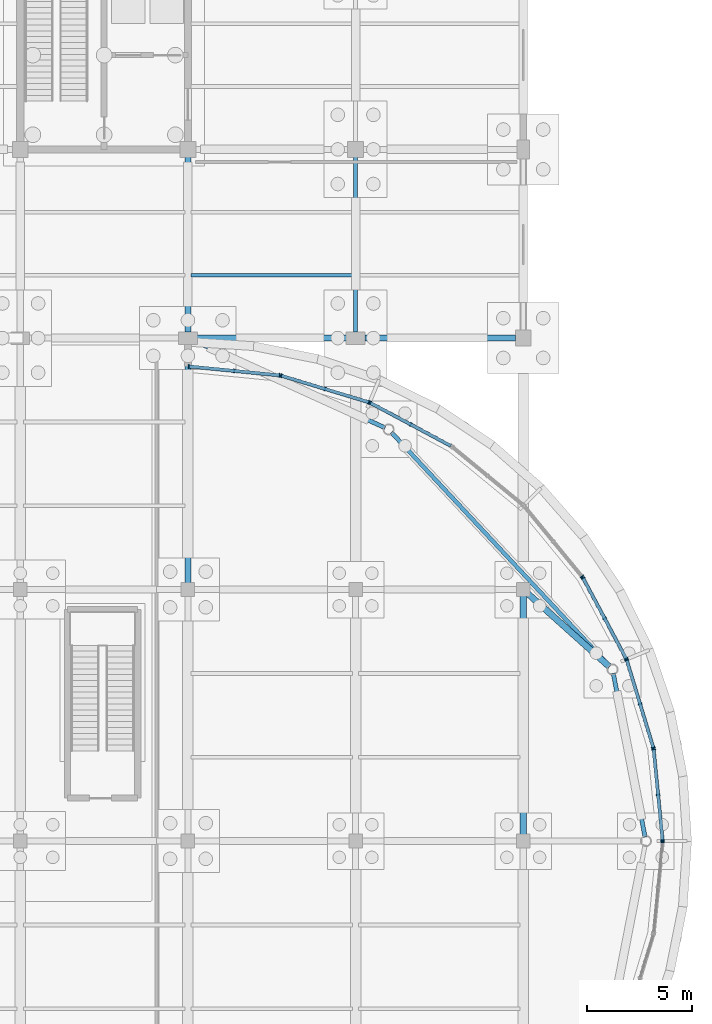
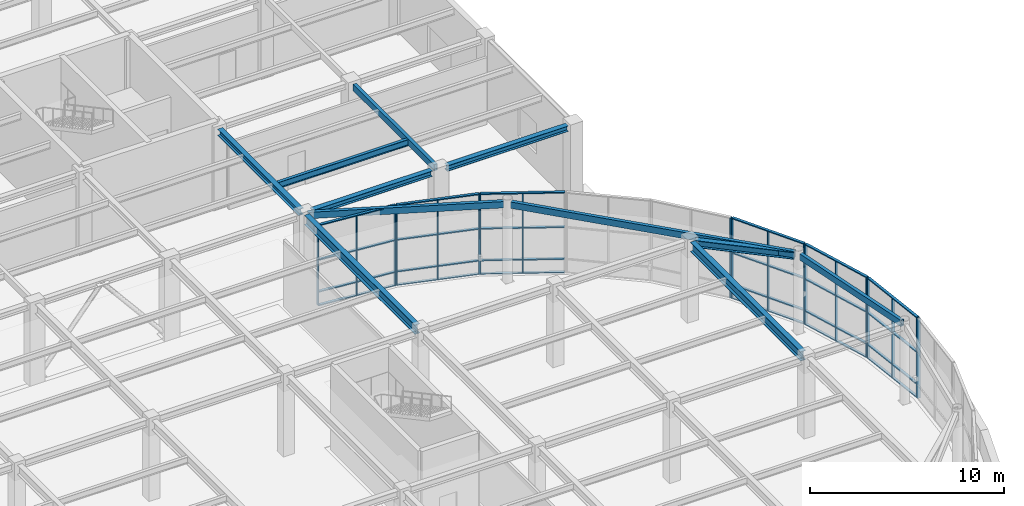
# One storey, part 47 of 85: 43 members, 11 beams, 8 elements without a shape of their own.
"""IFC4 building model written with IfcOpenShell, lengths in metres."""

from ifc_helpers import new_model, si_unit, direction, frame, origin, origin_2d, place, context, subcontext, project, spatial, rectangle, hollow_rectangle, i_section, extrude, material, layer, layer_set, material_profile, profile_set, type_object, element, aggregate, save


model = new_model("IFC4")

# Units and contexts
model_context = context("Model", 3, precision=1e-05, world=origin(), true_north=direction((0.0, 1.0)))
body_context = subcontext(model_context, "Body", "Model", "MODEL_VIEW")
ifc_project = project(units=[si_unit("LENGTHUNIT", "METRE"), si_unit("AREAUNIT", "SQUARE_METRE"), si_unit("VOLUMEUNIT", "CUBIC_METRE"), si_unit("PLANEANGLEUNIT", "RADIAN"), si_unit("MASSUNIT", "GRAM", prefix="KILO")], contexts=[model_context])

# Site, building, storey
site_placement = place(None, origin())
site = spatial("IfcSite", under=ifc_project, at=site_placement, CompositionType="ELEMENT")
building_placement = place(site_placement, origin())
building = spatial("IfcBuilding", under=site, at=building_placement, Name="Keelwater Ferry Terminal", CompositionType="ELEMENT")
storey_placement = place(building_placement, origin())
storey = spatial("IfcBuildingStorey", under=building, at=storey_placement, Name="L00", CompositionType="ELEMENT", Elevation=0.0)

# Curtain wall, member
ifc_material_1 = material(Name="Thermally broken unitised aluminium and triple glass", Category="aluminium")
ifc_layer = layer(ifc_material_1, 0.179931640625)
ifc_layer_set = layer_set([ifc_layer], Name="Thermally broken unitised aluminium and triple glass")
curtain_wall_type = type_object("IfcCurtainWallType", Name="CW-17 Unitised Curtain Wall 4350x5020", PredefinedType="USERDEFINED", material=ifc_layer_set)
curtain_wall_1_placement = place(storey_placement, origin())
curtain_wall_1 = element("IfcCurtainWall", 1, at=curtain_wall_1_placement, inside=storey, type_object=curtain_wall_type, Name="Unitised Curtain Wall CW-L00-100", ObjectType="UNITISED CURTAIN WALL", PredefinedType="USERDEFINED")
ifc_material_2 = material(Name="Aluminium mullion", Category="aluminium")
ifc_material_profile_1 = material_profile(ifc_material_2, rectangle(XDim=0.06494140625, YDim=0.179931640625, at=origin_2d()), Name="CWM-01")
ifc_profile_set_1 = profile_set([ifc_material_profile_1], Name="Aluminium mullion")
member_type_1 = type_object("IfcMemberType", Name="CWM-01 Curtain Mullion 65x180", PredefinedType="MULLION", material=ifc_profile_set_1)
member_1_placement = place(storey_placement, frame((186.64599609375, 65.955078125, 0.0), z_axis=(0.0, 0.0, 1.0), x_axis=(0.098160737969, 0.995170573079, 0.0)))
member_1 = element("IfcMember", 2, at=member_1_placement, type_object=member_type_1, Name="CW-L00-100 Mullion 3", PredefinedType="MULLION", context=body_context, shape_type="SweptSolid", body=[
    extrude(rectangle(XDim=0.06494140625, YDim=0.179931640625, at=origin_2d()), origin(), (0.0, 0.0, 1.0), 5.02001953125),
])
aggregate(curtain_wall_1, [member_1])

# Curtain wall, members
curtain_wall_2_placement = place(storey_placement, origin())
curtain_wall_2 = element("IfcCurtainWall", 3, at=curtain_wall_2_placement, inside=storey, type_object=curtain_wall_type, Name="Unitised Curtain Wall CW-L00-101", ObjectType="UNITISED CURTAIN WALL", PredefinedType="USERDEFINED")
member_2_placement = place(storey_placement, frame((186.64599609375, 66.044921875, 0.0), z_axis=(0.0, 0.0, 1.0), x_axis=(-0.098160737969, 0.995170573079, 0.0)))
member_2 = element("IfcMember", 4, at=member_2_placement, type_object=member_type_1, Name="CW-L00-101 Mullion 1", PredefinedType="MULLION", context=body_context, shape_type="SweptSolid", body=[
    extrude(rectangle(XDim=0.06494140625, YDim=0.179931640625, at=origin_2d()), origin(), (0.0, 0.0, 1.0), 5.02001953125),
])
member_3_placement = place(storey_placement, frame((186.4326171875, 68.20947265625, 0.0), z_axis=(0.0, 0.0, 1.0), x_axis=(-0.098160737969, 0.995170573079, 0.0)))
member_3 = element("IfcMember", 5, at=member_3_placement, type_object=member_type_1, Name="CW-L00-101 Mullion 2", PredefinedType="MULLION", context=body_context, shape_type="SweptSolid", body=[
    extrude(rectangle(XDim=0.06494140625, YDim=0.179931640625, at=origin_2d()), origin(), (0.0, 0.0, 1.0), 5.02001953125),
])
member_4_placement = place(storey_placement, frame((186.218994140625, 70.3740234375, 0.0), z_axis=(0.0, 0.0, 1.0), x_axis=(-0.098160737969, 0.995170573079, 0.0)))
member_4 = element("IfcMember", 6, at=member_4_placement, type_object=member_type_1, Name="CW-L00-101 Mullion 3", PredefinedType="MULLION", context=body_context, shape_type="SweptSolid", body=[
    extrude(rectangle(XDim=0.06494140625, YDim=0.179931640625, at=origin_2d()), origin(), (0.0, 0.0, 1.0), 5.02001953125),
])

curtain_wall_3_placement = place(storey_placement, origin())
curtain_wall_3 = element("IfcCurtainWall", 7, at=curtain_wall_3_placement, inside=storey, type_object=curtain_wall_type, Name="Unitised Curtain Wall CW-L00-102", ObjectType="UNITISED CURTAIN WALL", PredefinedType="USERDEFINED")
member_5_placement = place(storey_placement, frame((186.201904296875, 70.4619140625, 0.0), z_axis=(0.0, 0.0, 1.0), x_axis=(-0.290319989003, 0.956929623319, 0.0)))
member_5 = element("IfcMember", 8, at=member_5_placement, type_object=member_type_1, Name="CW-L00-102 Mullion 1", PredefinedType="MULLION", context=body_context, shape_type="SweptSolid", body=[
    extrude(rectangle(XDim=0.06494140625, YDim=0.179931640625, at=origin_2d()), origin(), (0.0, 0.0, 1.0), 5.02001953125),
])
member_6_placement = place(storey_placement, frame((185.570556640625, 72.54345703125, 0.0), z_axis=(0.0, 0.0, 1.0), x_axis=(-0.290319989003, 0.956929623319, 0.0)))
member_6 = element("IfcMember", 9, at=member_6_placement, type_object=member_type_1, Name="CW-L00-102 Mullion 2", PredefinedType="MULLION", context=body_context, shape_type="SweptSolid", body=[
    extrude(rectangle(XDim=0.06494140625, YDim=0.179931640625, at=origin_2d()), origin(), (0.0, 0.0, 1.0), 5.02001953125),
])
member_7_placement = place(storey_placement, frame((184.93896484375, 74.625, 0.0), z_axis=(0.0, 0.0, 1.0), x_axis=(-0.290319989003, 0.956929623319, 0.0)))
member_7 = element("IfcMember", 10, at=member_7_placement, type_object=member_type_1, Name="CW-L00-102 Mullion 3", PredefinedType="MULLION", context=body_context, shape_type="SweptSolid", body=[
    extrude(rectangle(XDim=0.06494140625, YDim=0.179931640625, at=origin_2d()), origin(), (0.0, 0.0, 1.0), 5.02001953125),
])

curtain_wall_4_placement = place(storey_placement, origin())
curtain_wall_4 = element("IfcCurtainWall", 11, at=curtain_wall_4_placement, inside=storey, type_object=curtain_wall_type, Name="Unitised Curtain Wall CW-L00-103", ObjectType="UNITISED CURTAIN WALL", PredefinedType="USERDEFINED")
member_8_placement = place(storey_placement, frame((184.905029296875, 74.7080078125, 0.0), z_axis=(0.0, 0.0, 1.0), x_axis=(-0.471506749303, 0.881862452632, 0.0)))
member_8 = element("IfcMember", 12, at=member_8_placement, type_object=member_type_1, Name="CW-L00-103 Mullion 1", PredefinedType="MULLION", context=body_context, shape_type="SweptSolid", body=[
    extrude(rectangle(XDim=0.06494140625, YDim=0.179931640625, at=origin_2d()), origin(), (0.0, 0.0, 1.0), 5.02001953125),
])
member_9_placement = place(storey_placement, frame((183.87939453125, 76.6259765625, 0.0), z_axis=(0.0, 0.0, 1.0), x_axis=(-0.471506749303, 0.881862452632, 0.0)))
member_9 = element("IfcMember", 13, at=member_9_placement, type_object=member_type_1, Name="CW-L00-103 Mullion 2", PredefinedType="MULLION", context=body_context, shape_type="SweptSolid", body=[
    extrude(rectangle(XDim=0.06494140625, YDim=0.179931640625, at=origin_2d()), origin(), (0.0, 0.0, 1.0), 5.02001953125),
])
member_10_placement = place(storey_placement, frame((182.85400390625, 78.5439453125, 0.0), z_axis=(0.0, 0.0, 1.0), x_axis=(-0.471506749303, 0.881862452632, 0.0)))
member_10 = element("IfcMember", 14, at=member_10_placement, type_object=member_type_1, Name="CW-L00-103 Mullion 3", PredefinedType="MULLION", context=body_context, shape_type="SweptSolid", body=[
    extrude(rectangle(XDim=0.06494140625, YDim=0.179931640625, at=origin_2d()), origin(), (0.0, 0.0, 1.0), 5.02001953125),
])

# Curtain wall, member
curtain_wall_5_placement = place(storey_placement, origin())
curtain_wall_5 = element("IfcCurtainWall", 15, at=curtain_wall_5_placement, inside=storey, type_object=curtain_wall_type, Name="Unitised Curtain Wall CW-L00-104", ObjectType="UNITISED CURTAIN WALL", PredefinedType="USERDEFINED")
member_11_placement = place(storey_placement, frame((182.803955078125, 78.618896484375, 0.0), z_axis=(0.0, 0.0, 1.0), x_axis=(-0.634376508991, 0.773024220086, 0.0)))
member_11 = element("IfcMember", 16, at=member_11_placement, type_object=member_type_1, Name="CW-L00-104 Mullion 1", PredefinedType="MULLION", context=body_context, shape_type="SweptSolid", body=[
    extrude(rectangle(XDim=0.06494140625, YDim=0.179931640625, at=origin_2d()), origin(), (0.0, 0.0, 1.0), 5.02001953125),
])
aggregate(curtain_wall_5, [member_11])

# Curtain wall, members
curtain_wall_6_placement = place(storey_placement, origin())
curtain_wall_6 = element("IfcCurtainWall", 17, at=curtain_wall_6_placement, inside=storey, type_object=curtain_wall_type, Name="Unitised Curtain Wall CW-L00-106", ObjectType="UNITISED CURTAIN WALL", PredefinedType="USERDEFINED")
member_12_placement = place(storey_placement, frame((174.6259765625, 85.87939453125, 0.0), z_axis=(0.0, 0.0, 1.0), x_axis=(-0.881862452632, 0.471506749303, 0.0)))
member_12 = element("IfcMember", 18, at=member_12_placement, type_object=member_type_1, Name="CW-L00-106 Mullion 2", PredefinedType="MULLION", context=body_context, shape_type="SweptSolid", body=[
    extrude(rectangle(XDim=0.06494140625, YDim=0.179931640625, at=origin_2d()), origin(), (0.0, 0.0, 1.0), 5.02001953125),
])
member_13_placement = place(storey_placement, frame((172.7080078125, 86.905029296875, 0.0), z_axis=(0.0, 0.0, 1.0), x_axis=(-0.881862452632, 0.471506749303, 0.0)))
member_13 = element("IfcMember", 19, at=member_13_placement, type_object=member_type_1, Name="CW-L00-106 Mullion 3", PredefinedType="MULLION", context=body_context, shape_type="SweptSolid", body=[
    extrude(rectangle(XDim=0.06494140625, YDim=0.179931640625, at=origin_2d()), origin(), (0.0, 0.0, 1.0), 5.02001953125),
])

curtain_wall_7_placement = place(storey_placement, origin())
curtain_wall_7 = element("IfcCurtainWall", 20, at=curtain_wall_7_placement, inside=storey, type_object=curtain_wall_type, Name="Unitised Curtain Wall CW-L00-107", ObjectType="UNITISED CURTAIN WALL", PredefinedType="USERDEFINED")
member_14_placement = place(storey_placement, frame((172.625, 86.93896484375, 0.0), z_axis=(0.0, 0.0, 1.0), x_axis=(-0.956929623319, 0.290319989003, 0.0)))
member_14 = element("IfcMember", 21, at=member_14_placement, type_object=member_type_1, Name="CW-L00-107 Mullion 1", PredefinedType="MULLION", context=body_context, shape_type="SweptSolid", body=[
    extrude(rectangle(XDim=0.06494140625, YDim=0.179931640625, at=origin_2d()), origin(), (0.0, 0.0, 1.0), 5.02001953125),
])
member_15_placement = place(storey_placement, frame((170.54345703125, 87.570556640625, 0.0), z_axis=(0.0, 0.0, 1.0), x_axis=(-0.956929623319, 0.290319989003, 0.0)))
member_15 = element("IfcMember", 22, at=member_15_placement, type_object=member_type_1, Name="CW-L00-107 Mullion 2", PredefinedType="MULLION", context=body_context, shape_type="SweptSolid", body=[
    extrude(rectangle(XDim=0.06494140625, YDim=0.179931640625, at=origin_2d()), origin(), (0.0, 0.0, 1.0), 5.02001953125),
])
member_16_placement = place(storey_placement, frame((168.4619140625, 88.201904296875, 0.0), z_axis=(0.0, 0.0, 1.0), x_axis=(-0.956929623319, 0.290319989003, 0.0)))
member_16 = element("IfcMember", 23, at=member_16_placement, type_object=member_type_1, Name="CW-L00-107 Mullion 3", PredefinedType="MULLION", context=body_context, shape_type="SweptSolid", body=[
    extrude(rectangle(XDim=0.06494140625, YDim=0.179931640625, at=origin_2d()), origin(), (0.0, 0.0, 1.0), 5.02001953125),
])

curtain_wall_8_placement = place(storey_placement, origin())
curtain_wall_8 = element("IfcCurtainWall", 24, at=curtain_wall_8_placement, inside=storey, type_object=curtain_wall_type, Name="Unitised Curtain Wall CW-L00-108", ObjectType="UNITISED CURTAIN WALL", PredefinedType="USERDEFINED")
member_17_placement = place(storey_placement, frame((168.3740234375, 88.218994140625, 0.0), z_axis=(0.0, 0.0, 1.0), x_axis=(-0.995170573079, 0.098160737969, 0.0)))
member_17 = element("IfcMember", 25, at=member_17_placement, type_object=member_type_1, Name="CW-L00-108 Mullion 1", PredefinedType="MULLION", context=body_context, shape_type="SweptSolid", body=[
    extrude(rectangle(XDim=0.06494140625, YDim=0.179931640625, at=origin_2d()), origin(), (0.0, 0.0, 1.0), 5.02001953125),
])
member_18_placement = place(storey_placement, frame((166.20947265625, 88.4326171875, 0.0), z_axis=(0.0, 0.0, 1.0), x_axis=(-0.995170573079, 0.098160737969, 0.0)))
member_18 = element("IfcMember", 26, at=member_18_placement, type_object=member_type_1, Name="CW-L00-108 Mullion 2", PredefinedType="MULLION", context=body_context, shape_type="SweptSolid", body=[
    extrude(rectangle(XDim=0.06494140625, YDim=0.179931640625, at=origin_2d()), origin(), (0.0, 0.0, 1.0), 5.02001953125),
])
member_19_placement = place(storey_placement, frame((164.044921875, 88.64599609375, 0.0), z_axis=(0.0, 0.0, 1.0), x_axis=(-0.995170573079, 0.098160737969, 0.0)))
member_19 = element("IfcMember", 27, at=member_19_placement, type_object=member_type_1, Name="CW-L00-108 Mullion 3", PredefinedType="MULLION", context=body_context, shape_type="SweptSolid", body=[
    extrude(rectangle(XDim=0.06494140625, YDim=0.179931640625, at=origin_2d()), origin(), (0.0, 0.0, 1.0), 5.02001953125),
])

# Member
ifc_material_3 = material(Name="Aluminium mullion", Category="aluminium")
ifc_material_profile_2 = material_profile(ifc_material_3, rectangle(XDim=0.159912109375, YDim=0.06494140625, at=origin_2d()), Name="CWT-01")
ifc_profile_set_2 = profile_set([ifc_material_profile_2], Name="Aluminium mullion")
member_type_2 = type_object("IfcMemberType", Name="CWT-01 Curtain Transom 65x160", PredefinedType="USERDEFINED", material=ifc_profile_set_2)
member_20_placement = place(storey_placement, frame((186.64599609375, 66.044921875, 0.0), z_axis=(-0.098158901932, 0.995170754178, 0.0), x_axis=(-0.995170754178, -0.098158901932, 0.0)))
member_20 = element("IfcMember", 28, at=member_20_placement, type_object=member_type_2, Name="CW-L00-101 Transom 1", ObjectType="TRANSOM", PredefinedType="USERDEFINED", context=body_context, shape_type="SweptSolid", body=[
    extrude(rectangle(XDim=0.159912109375, YDim=0.06494140625, at=origin_2d()), origin(), (0.0, 0.0, 1.0), 4.35009765625),
])

member_21_placement = place(storey_placement, frame((186.64599609375, 66.044921875, 0.85009765625), z_axis=(-0.098158901932, 0.995170754178, 0.0), x_axis=(-0.995170754178, -0.098158901932, 0.0)))
member_21 = element("IfcMember", 29, at=member_21_placement, type_object=member_type_2, Name="CW-L00-101 Transom 2", ObjectType="TRANSOM", PredefinedType="USERDEFINED", context=body_context, shape_type="SweptSolid", body=[
    extrude(rectangle(XDim=0.159912109375, YDim=0.06494140625, at=origin_2d()), origin(), (0.0, 0.0, 1.0), 4.35009765625),
])

member_22_placement = place(storey_placement, frame((186.64599609375, 66.044921875, 2.85009765625), z_axis=(-0.098158901932, 0.995170754178, 0.0), x_axis=(-0.995170754178, -0.098158901932, 0.0)))
member_22 = element("IfcMember", 30, at=member_22_placement, type_object=member_type_2, Name="CW-L00-101 Transom 3", ObjectType="TRANSOM", PredefinedType="USERDEFINED", context=body_context, shape_type="SweptSolid", body=[
    extrude(rectangle(XDim=0.159912109375, YDim=0.06494140625, at=origin_2d()), origin(), (0.0, 0.0, 1.0), 4.35009765625),
])

member_23_placement = place(storey_placement, frame((186.64599609375, 66.044921875, 5.02001953125), z_axis=(-0.098158901932, 0.995170754178, 0.0), x_axis=(-0.995170754178, -0.098158901932, 0.0)))
member_23 = element("IfcMember", 31, at=member_23_placement, type_object=member_type_2, Name="CW-L00-101 Transom 4", ObjectType="TRANSOM", PredefinedType="USERDEFINED", context=body_context, shape_type="SweptSolid", body=[
    extrude(rectangle(XDim=0.159912109375, YDim=0.06494140625, at=origin_2d()), origin(), (0.0, 0.0, 1.0), 4.35009765625),
])

aggregate(curtain_wall_2, [member_2, member_3, member_4, member_20, member_21, member_22, member_23])

member_24_placement = place(storey_placement, frame((186.201904296875, 70.4619140625, 0.0), z_axis=(-0.290301756665, 0.956935154583, 0.0), x_axis=(-0.956935154583, -0.290301756665, 0.0)))
member_24 = element("IfcMember", 32, at=member_24_placement, type_object=member_type_2, Name="CW-L00-102 Transom 1", ObjectType="TRANSOM", PredefinedType="USERDEFINED", context=body_context, shape_type="SweptSolid", body=[
    extrude(rectangle(XDim=0.159912109375, YDim=0.06494140625, at=origin_2d()), origin(), (0.0, 0.0, 1.0), 4.350341796875),
])

member_25_placement = place(storey_placement, frame((186.201904296875, 70.4619140625, 0.85009765625), z_axis=(-0.290301756665, 0.956935154583, 0.0), x_axis=(-0.956935154583, -0.290301756665, 0.0)))
member_25 = element("IfcMember", 33, at=member_25_placement, type_object=member_type_2, Name="CW-L00-102 Transom 2", ObjectType="TRANSOM", PredefinedType="USERDEFINED", context=body_context, shape_type="SweptSolid", body=[
    extrude(rectangle(XDim=0.159912109375, YDim=0.06494140625, at=origin_2d()), origin(), (0.0, 0.0, 1.0), 4.350341796875),
])

member_26_placement = place(storey_placement, frame((186.201904296875, 70.4619140625, 2.85009765625), z_axis=(-0.290301756665, 0.956935154583, 0.0), x_axis=(-0.956935154583, -0.290301756665, 0.0)))
member_26 = element("IfcMember", 34, at=member_26_placement, type_object=member_type_2, Name="CW-L00-102 Transom 3", ObjectType="TRANSOM", PredefinedType="USERDEFINED", context=body_context, shape_type="SweptSolid", body=[
    extrude(rectangle(XDim=0.159912109375, YDim=0.06494140625, at=origin_2d()), origin(), (0.0, 0.0, 1.0), 4.350341796875),
])

member_27_placement = place(storey_placement, frame((186.201904296875, 70.4619140625, 5.02001953125), z_axis=(-0.290301756665, 0.956935154583, 0.0), x_axis=(-0.956935154583, -0.290301756665, 0.0)))
member_27 = element("IfcMember", 35, at=member_27_placement, type_object=member_type_2, Name="CW-L00-102 Transom 4", ObjectType="TRANSOM", PredefinedType="USERDEFINED", context=body_context, shape_type="SweptSolid", body=[
    extrude(rectangle(XDim=0.159912109375, YDim=0.06494140625, at=origin_2d()), origin(), (0.0, 0.0, 1.0), 4.350341796875),
])

aggregate(curtain_wall_3, [member_5, member_6, member_7, member_24, member_25, member_26, member_27])

member_28_placement = place(storey_placement, frame((184.905029296875, 74.7080078125, 0.0), z_axis=(-0.471517263122, 0.881856831112, 0.0), x_axis=(-0.881856831112, -0.471517263122, 0.0)))
member_28 = element("IfcMember", 36, at=member_28_placement, type_object=member_type_2, Name="CW-L00-103 Transom 1", ObjectType="TRANSOM", PredefinedType="USERDEFINED", context=body_context, shape_type="SweptSolid", body=[
    extrude(rectangle(XDim=0.159912109375, YDim=0.06494140625, at=origin_2d()), origin(), (0.0, 0.0, 1.0), 4.349853515625),
])

member_29_placement = place(storey_placement, frame((184.905029296875, 74.7080078125, 0.85009765625), z_axis=(-0.471517263122, 0.881856831112, 0.0), x_axis=(-0.881856831112, -0.471517263122, 0.0)))
member_29 = element("IfcMember", 37, at=member_29_placement, type_object=member_type_2, Name="CW-L00-103 Transom 2", ObjectType="TRANSOM", PredefinedType="USERDEFINED", context=body_context, shape_type="SweptSolid", body=[
    extrude(rectangle(XDim=0.159912109375, YDim=0.06494140625, at=origin_2d()), origin(), (0.0, 0.0, 1.0), 4.349853515625),
])

member_30_placement = place(storey_placement, frame((184.905029296875, 74.7080078125, 2.85009765625), z_axis=(-0.471517263122, 0.881856831112, 0.0), x_axis=(-0.881856831112, -0.471517263122, 0.0)))
member_30 = element("IfcMember", 38, at=member_30_placement, type_object=member_type_2, Name="CW-L00-103 Transom 3", ObjectType="TRANSOM", PredefinedType="USERDEFINED", context=body_context, shape_type="SweptSolid", body=[
    extrude(rectangle(XDim=0.159912109375, YDim=0.06494140625, at=origin_2d()), origin(), (0.0, 0.0, 1.0), 4.349853515625),
])

member_31_placement = place(storey_placement, frame((184.905029296875, 74.7080078125, 5.02001953125), z_axis=(-0.471517263122, 0.881856831112, 0.0), x_axis=(-0.881856831112, -0.471517263122, 0.0)))
member_31 = element("IfcMember", 39, at=member_31_placement, type_object=member_type_2, Name="CW-L00-103 Transom 4", ObjectType="TRANSOM", PredefinedType="USERDEFINED", context=body_context, shape_type="SweptSolid", body=[
    extrude(rectangle(XDim=0.159912109375, YDim=0.06494140625, at=origin_2d()), origin(), (0.0, 0.0, 1.0), 4.349853515625),
])

aggregate(curtain_wall_4, [member_8, member_9, member_10, member_28, member_29, member_30, member_31])

member_32_placement = place(storey_placement, frame((176.5439453125, 84.85400390625, 0.0), z_axis=(-0.881856831112, 0.471517263122, 0.0), x_axis=(-0.471517263122, -0.881856831112, 0.0)))
member_32 = element("IfcMember", 40, at=member_32_placement, type_object=member_type_2, Name="CW-L00-106 Transom 1", ObjectType="TRANSOM", PredefinedType="USERDEFINED", context=body_context, shape_type="SweptSolid", body=[
    extrude(rectangle(XDim=0.159912109375, YDim=0.06494140625, at=origin_2d()), origin(), (0.0, 0.0, 1.0), 4.349853515625),
])

member_33_placement = place(storey_placement, frame((176.5439453125, 84.85400390625, 0.85009765625), z_axis=(-0.881856831112, 0.471517263122, 0.0), x_axis=(-0.471517263122, -0.881856831112, 0.0)))
member_33 = element("IfcMember", 41, at=member_33_placement, type_object=member_type_2, Name="CW-L00-106 Transom 2", ObjectType="TRANSOM", PredefinedType="USERDEFINED", context=body_context, shape_type="SweptSolid", body=[
    extrude(rectangle(XDim=0.159912109375, YDim=0.06494140625, at=origin_2d()), origin(), (0.0, 0.0, 1.0), 4.349853515625),
])

member_34_placement = place(storey_placement, frame((176.5439453125, 84.85400390625, 2.85009765625), z_axis=(-0.881856831112, 0.471517263122, 0.0), x_axis=(-0.471517263122, -0.881856831112, 0.0)))
member_34 = element("IfcMember", 42, at=member_34_placement, type_object=member_type_2, Name="CW-L00-106 Transom 3", ObjectType="TRANSOM", PredefinedType="USERDEFINED", context=body_context, shape_type="SweptSolid", body=[
    extrude(rectangle(XDim=0.159912109375, YDim=0.06494140625, at=origin_2d()), origin(), (0.0, 0.0, 1.0), 4.349853515625),
])

member_35_placement = place(storey_placement, frame((176.5439453125, 84.85400390625, 5.02001953125), z_axis=(-0.881856831112, 0.471517263122, 0.0), x_axis=(-0.471517263122, -0.881856831112, 0.0)))
member_35 = element("IfcMember", 43, at=member_35_placement, type_object=member_type_2, Name="CW-L00-106 Transom 4", ObjectType="TRANSOM", PredefinedType="USERDEFINED", context=body_context, shape_type="SweptSolid", body=[
    extrude(rectangle(XDim=0.159912109375, YDim=0.06494140625, at=origin_2d()), origin(), (0.0, 0.0, 1.0), 4.349853515625),
])

aggregate(curtain_wall_6, [member_12, member_13, member_32, member_33, member_34, member_35])

member_36_placement = place(storey_placement, frame((172.625, 86.93896484375, 0.0), z_axis=(-0.956935154583, 0.290301756665, 0.0), x_axis=(-0.290301756665, -0.956935154583, 0.0)))
member_36 = element("IfcMember", 44, at=member_36_placement, type_object=member_type_2, Name="CW-L00-107 Transom 1", ObjectType="TRANSOM", PredefinedType="USERDEFINED", context=body_context, shape_type="SweptSolid", body=[
    extrude(rectangle(XDim=0.159912109375, YDim=0.06494140625, at=origin_2d()), origin(), (0.0, 0.0, 1.0), 4.350341796875),
])

member_37_placement = place(storey_placement, frame((172.625, 86.93896484375, 0.85009765625), z_axis=(-0.956935154583, 0.290301756665, 0.0), x_axis=(-0.290301756665, -0.956935154583, 0.0)))
member_37 = element("IfcMember", 45, at=member_37_placement, type_object=member_type_2, Name="CW-L00-107 Transom 2", ObjectType="TRANSOM", PredefinedType="USERDEFINED", context=body_context, shape_type="SweptSolid", body=[
    extrude(rectangle(XDim=0.159912109375, YDim=0.06494140625, at=origin_2d()), origin(), (0.0, 0.0, 1.0), 4.350341796875),
])

member_38_placement = place(storey_placement, frame((172.625, 86.93896484375, 2.85009765625), z_axis=(-0.956935154583, 0.290301756665, 0.0), x_axis=(-0.290301756665, -0.956935154583, 0.0)))
member_38 = element("IfcMember", 46, at=member_38_placement, type_object=member_type_2, Name="CW-L00-107 Transom 3", ObjectType="TRANSOM", PredefinedType="USERDEFINED", context=body_context, shape_type="SweptSolid", body=[
    extrude(rectangle(XDim=0.159912109375, YDim=0.06494140625, at=origin_2d()), origin(), (0.0, 0.0, 1.0), 4.350341796875),
])

member_39_placement = place(storey_placement, frame((172.625, 86.93896484375, 5.02001953125), z_axis=(-0.956935154583, 0.290301756665, 0.0), x_axis=(-0.290301756665, -0.956935154583, 0.0)))
member_39 = element("IfcMember", 47, at=member_39_placement, type_object=member_type_2, Name="CW-L00-107 Transom 4", ObjectType="TRANSOM", PredefinedType="USERDEFINED", context=body_context, shape_type="SweptSolid", body=[
    extrude(rectangle(XDim=0.159912109375, YDim=0.06494140625, at=origin_2d()), origin(), (0.0, 0.0, 1.0), 4.350341796875),
])

aggregate(curtain_wall_7, [member_14, member_15, member_16, member_36, member_37, member_38, member_39])

member_40_placement = place(storey_placement, frame((168.3740234375, 88.218994140625, 0.0), z_axis=(-0.995170754178, 0.098158901932, 0.0), x_axis=(-0.098158901932, -0.995170754178, 0.0)))
member_40 = element("IfcMember", 48, at=member_40_placement, type_object=member_type_2, Name="CW-L00-108 Transom 1", ObjectType="TRANSOM", PredefinedType="USERDEFINED", context=body_context, shape_type="SweptSolid", body=[
    extrude(rectangle(XDim=0.159912109375, YDim=0.06494140625, at=origin_2d()), origin(), (0.0, 0.0, 1.0), 4.35009765625),
])

member_41_placement = place(storey_placement, frame((168.3740234375, 88.218994140625, 0.85009765625), z_axis=(-0.995170754178, 0.098158901932, 0.0), x_axis=(-0.098158901932, -0.995170754178, 0.0)))
member_41 = element("IfcMember", 49, at=member_41_placement, type_object=member_type_2, Name="CW-L00-108 Transom 2", ObjectType="TRANSOM", PredefinedType="USERDEFINED", context=body_context, shape_type="SweptSolid", body=[
    extrude(rectangle(XDim=0.159912109375, YDim=0.06494140625, at=origin_2d()), origin(), (0.0, 0.0, 1.0), 4.35009765625),
])

member_42_placement = place(storey_placement, frame((168.3740234375, 88.218994140625, 2.85009765625), z_axis=(-0.995170754178, 0.098158901932, 0.0), x_axis=(-0.098158901932, -0.995170754178, 0.0)))
member_42 = element("IfcMember", 50, at=member_42_placement, type_object=member_type_2, Name="CW-L00-108 Transom 3", ObjectType="TRANSOM", PredefinedType="USERDEFINED", context=body_context, shape_type="SweptSolid", body=[
    extrude(rectangle(XDim=0.159912109375, YDim=0.06494140625, at=origin_2d()), origin(), (0.0, 0.0, 1.0), 4.35009765625),
])

member_43_placement = place(storey_placement, frame((168.3740234375, 88.218994140625, 5.02001953125), z_axis=(-0.995170754178, 0.098158901932, 0.0), x_axis=(-0.098158901932, -0.995170754178, 0.0)))
member_43 = element("IfcMember", 51, at=member_43_placement, type_object=member_type_2, Name="CW-L00-108 Transom 4", ObjectType="TRANSOM", PredefinedType="USERDEFINED", context=body_context, shape_type="SweptSolid", body=[
    extrude(rectangle(XDim=0.159912109375, YDim=0.06494140625, at=origin_2d()), origin(), (0.0, 0.0, 1.0), 4.35009765625),
])

aggregate(curtain_wall_8, [member_17, member_18, member_19, member_40, member_41, member_42, member_43])

# Beams
ifc_material_4 = material(Name="Steel S355", Category="steel")
ifc_material_profile_3 = material_profile(ifc_material_4, i_section(OverallWidth=0.300048828125, OverallDepth=0.60009765625, WebThickness=0.015380859375, FlangeThickness=0.030029296875, at=origin_2d()), Name="HEB 600")
ifc_profile_set_3 = profile_set([ifc_material_profile_3], Name="Steel S355")
beam_type_1 = type_object("IfcBeamType", Name="G3 HEB 600", PredefinedType="BEAM", material=ifc_profile_set_3)
beam_1_placement = place(storey_placement, frame((164.0, 78.318115234375, 4.760009765625), z_axis=(0.0, 1.0, 0.0), x_axis=(-1.0, 0.0, 0.0)))
element("IfcBeam", 52, at=beam_1_placement, inside=storey, type_object=beam_type_1, Name="Beam BM-L00-0288", PredefinedType="BEAM", context=body_context, shape_type="SweptSolid", body=[
    extrude(i_section(OverallWidth=0.300048828125, OverallDepth=0.60009765625, WebThickness=0.015380859375, FlangeThickness=0.030029296875, at=origin_2d()), origin(), (0.0, 0.0, 1.0), 11.387939453125),
])
ifc_material_5 = material(Name="Steel S355", Category="steel")
ifc_material_profile_4 = material_profile(ifc_material_5, i_section(OverallWidth=0.300048828125, OverallDepth=0.60009765625, WebThickness=0.015380859375, FlangeThickness=0.030029296875, at=origin_2d()), Name="HEB 600")
ifc_profile_set_4 = profile_set([ifc_material_profile_4], Name="Steel S355")
beam_type_2 = type_object("IfcBeamType", Name="G3E HEB 600", PredefinedType="BEAM", material=ifc_profile_set_4)
beam_2_placement = place(storey_placement, frame((180.0, 66.318115234375, 4.760009765625), z_axis=(0.0, 1.0, 0.0), x_axis=(-1.0, 0.0, 0.0)))
element("IfcBeam", 53, at=beam_2_placement, inside=storey, type_object=beam_type_2, Name="Beam BM-L00-0299", PredefinedType="BEAM", context=body_context, shape_type="SweptSolid", body=[
    extrude(i_section(OverallWidth=0.300048828125, OverallDepth=0.60009765625, WebThickness=0.015380859375, FlangeThickness=0.030029296875, at=origin_2d()), origin(), (0.0, 0.0, 1.0), 11.36376953125),
])
ifc_material_6 = material(Name="Steel S355", Category="steel")
ifc_material_profile_5 = material_profile(ifc_material_6, i_section(OverallWidth=0.300048828125, OverallDepth=0.449951171875, WebThickness=0.013916015625, FlangeThickness=0.02587890625, at=origin_2d()), Name="HEB 450")
ifc_profile_set_5 = profile_set([ifc_material_profile_5], Name="Steel S355")
beam_type_3 = type_object("IfcBeamType", Name="G6 HEB 450", PredefinedType="BEAM", material=ifc_profile_set_5)
beam_3_placement = place(storey_placement, frame((184.116943359375, 74.31201171875, 4.8349609375), z_axis=(-0.74477067713, 0.667320491584, 0.0), x_axis=(-0.667320491584, -0.74477067713, 0.0)))
element("IfcBeam", 54, at=beam_3_placement, inside=storey, type_object=beam_type_3, Name="Beam BM-L00-0601", PredefinedType="BEAM", context=body_context, shape_type="SweptSolid", body=[
    extrude(i_section(OverallWidth=0.300048828125, OverallDepth=0.449951171875, WebThickness=0.013916015625, FlangeThickness=0.02587890625, at=origin_2d()), origin(), (0.0, 0.0, 1.0), 5.239013671875),
])
ifc_material_7 = material(Name="Steel S355", Category="steel")
ifc_material_profile_6 = material_profile(ifc_material_7, i_section(OverallWidth=0.300048828125, OverallDepth=0.39990234375, WebThickness=0.013427734375, FlangeThickness=0.02392578125, at=origin_2d()), Name="HEB 400")
ifc_profile_set_6 = profile_set([ifc_material_profile_6], Name="Steel S355")
beam_type_4 = type_object("IfcBeamType", Name="G7 HEB 400", PredefinedType="BEAM", material=ifc_profile_set_6)
beam_4_placement = place(storey_placement, frame((164.0, 90.2939453125, 4.860107421875), z_axis=(0.0, 1.0, 0.0), x_axis=(-1.0, 0.0, 0.0)))
element("IfcBeam", 55, at=beam_4_placement, inside=storey, type_object=beam_type_4, Name="Beam BM-L00-0289", PredefinedType="BEAM", context=body_context, shape_type="SweptSolid", body=[
    extrude(i_section(OverallWidth=0.300048828125, OverallDepth=0.39990234375, WebThickness=0.013427734375, FlangeThickness=0.02392578125, at=origin_2d()), origin(), (0.0, 0.0, 1.0), 8.338134765625),
])
ifc_material_8 = material(Name="Steel S355", Category="steel")
ifc_material_profile_7 = material_profile(ifc_material_8, i_section(OverallWidth=0.179931640625, OverallDepth=0.39990234375, WebThickness=0.008544921875, FlangeThickness=0.013427734375, at=origin_2d()), Name="IPE 400")
ifc_profile_set_7 = profile_set([ifc_material_profile_7], Name="Steel S355")
beam_type_5 = type_object("IfcBeamType", Name="J5 IPE 400", PredefinedType="JOIST", material=ifc_profile_set_7)
beam_5_placement = place(storey_placement, frame((164.14990234375, 93.0, 4.860107421875), z_axis=(1.0, 0.0, 0.0), x_axis=(0.0, 1.0, 0.0)))
element("IfcBeam", 56, at=beam_5_placement, inside=storey, type_object=beam_type_5, Name="Beam BM-L00-0567", PredefinedType="JOIST", context=body_context, shape_type="SweptSolid", body=[
    extrude(i_section(OverallWidth=0.179931640625, OverallDepth=0.39990234375, WebThickness=0.008544921875, FlangeThickness=0.013427734375, at=origin_2d()), origin(), (0.0, 0.0, 1.0), 7.75),
])
ifc_material_9 = material(Name="Steel S355", Category="steel")
ifc_material_profile_8 = material_profile(ifc_material_9, i_section(OverallWidth=0.300048828125, OverallDepth=0.35009765625, WebThickness=0.010009765625, FlangeThickness=0.017578125, at=origin_2d()), Name="HEA 360")
ifc_profile_set_8 = profile_set([ifc_material_profile_8], Name="Steel S355")
beam_type_6 = type_object("IfcBeamType", Name="SP1E HEA 360", PredefinedType="SPANDREL", material=ifc_profile_set_8)
beam_6_placement = place(storey_placement, frame((164.44091796875, 90.0, 4.885009765625), z_axis=(1.0, 0.0, 0.0), x_axis=(0.0, 1.0, 0.0)))
element("IfcBeam", 57, at=beam_6_placement, inside=storey, type_object=beam_type_6, Name="Beam BM-L00-0099", PredefinedType="SPANDREL", context=body_context, shape_type="SweptSolid", body=[
    extrude(i_section(OverallWidth=0.300048828125, OverallDepth=0.35009765625, WebThickness=0.010009765625, FlangeThickness=0.017578125, at=origin_2d()), origin(), (0.0, 0.0, 1.0), 7.1181640625),
])
beam_7_placement = place(storey_placement, frame((172.44091796875, 90.0, 4.885009765625), z_axis=(1.0, 0.0, 0.0), x_axis=(0.0, 1.0, 0.0)))
element("IfcBeam", 58, at=beam_7_placement, inside=storey, type_object=beam_type_6, Name="Beam BM-L00-0100", PredefinedType="SPANDREL", context=body_context, shape_type="SweptSolid", body=[
    extrude(i_section(OverallWidth=0.300048828125, OverallDepth=0.35009765625, WebThickness=0.010009765625, FlangeThickness=0.017578125, at=origin_2d()), origin(), (0.0, 0.0, 1.0), 7.191162109375),
])
ifc_material_10 = material(Name="Steel S355", Category="steel")
ifc_material_profile_9 = material_profile(ifc_material_10, hollow_rectangle(XDim=0.199951171875, YDim=0.39990234375, WallThickness=0.01611328125, at=origin_2d()), Name="RHS 400x200x16")
ifc_profile_set_9 = profile_set([ifc_material_profile_9], Name="Steel S355")
beam_type_7 = type_object("IfcBeamType", Name="SP3E RHS 400x200x16", PredefinedType="SPANDREL", material=ifc_profile_set_9)
beam_8_placement = place(storey_placement, frame((172.0, 90.2939453125, 4.860107421875), z_axis=(0.0, 1.0, 0.0), x_axis=(-1.0, 0.0, 0.0)))
element("IfcBeam", 59, at=beam_8_placement, inside=storey, type_object=beam_type_7, Name="Beam BM-L00-0294", PredefinedType="SPANDREL", context=body_context, shape_type="SweptSolid", body=[
    extrude(hollow_rectangle(XDim=0.199951171875, YDim=0.39990234375, WallThickness=0.01611328125, at=origin_2d()), origin(), (0.0, 0.0, 1.0), 8.338134765625),
])
beam_9_placement = place(storey_placement, frame((164.173095703125, 89.9208984375, 4.860107421875), z_axis=(0.910123163328, -0.414337818181, 0.0), x_axis=(0.414337818181, 0.910123163328, 0.0)))
element("IfcBeam", 60, at=beam_9_placement, inside=storey, type_object=beam_type_7, Name="Beam BM-L00-0595", PredefinedType="SPANDREL", context=body_context, shape_type="SweptSolid", body=[
    extrude(hollow_rectangle(XDim=0.199951171875, YDim=0.39990234375, WallThickness=0.01611328125, at=origin_2d()), origin(), (0.0, 0.0, 1.0), 10.1435546875),
])
beam_10_placement = place(storey_placement, frame((173.7080078125, 85.5, 4.860107421875), z_axis=(0.681966371638, -0.731383529999, 0.0), x_axis=(0.731383529999, 0.681966371638, 0.0)))
element("IfcBeam", 61, at=beam_10_placement, inside=storey, type_object=beam_type_7, Name="Beam BM-L00-0596", PredefinedType="SPANDREL", context=body_context, shape_type="SweptSolid", body=[
    extrude(hollow_rectangle(XDim=0.199951171875, YDim=0.39990234375, WallThickness=0.01611328125, at=origin_2d()), origin(), (0.0, 0.0, 1.0), 15.28076171875),
])
beam_11_placement = place(storey_placement, frame((184.294921875, 73.998046875, 4.860107421875), z_axis=(0.190897579934, -0.981609960206, 0.0), x_axis=(0.981609960206, 0.190897579934, 0.0)))
element("IfcBeam", 62, at=beam_11_placement, inside=storey, type_object=beam_type_7, Name="Beam BM-L00-0597", PredefinedType="SPANDREL", context=body_context, shape_type="SweptSolid", body=[
    extrude(hollow_rectangle(XDim=0.199951171875, YDim=0.39990234375, WallThickness=0.01611328125, at=origin_2d()), origin(), (0.0, 0.0, 1.0), 7.957275390625),
])

save(model, "model.ifc")
